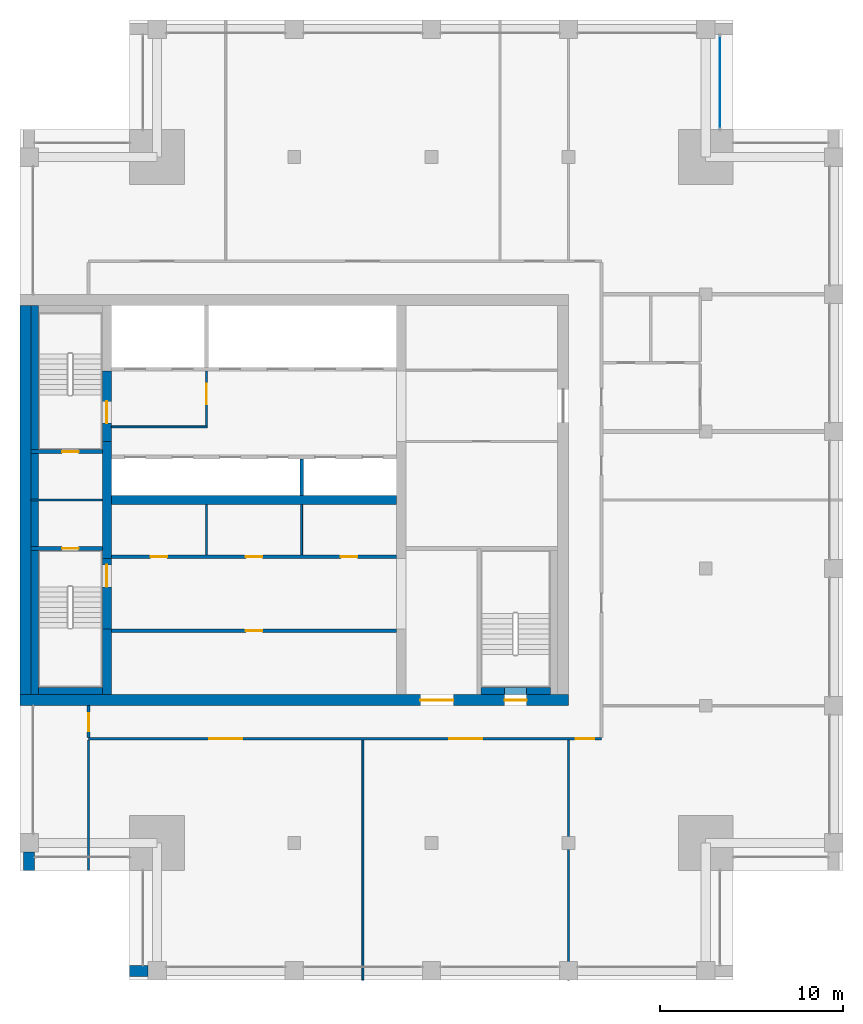
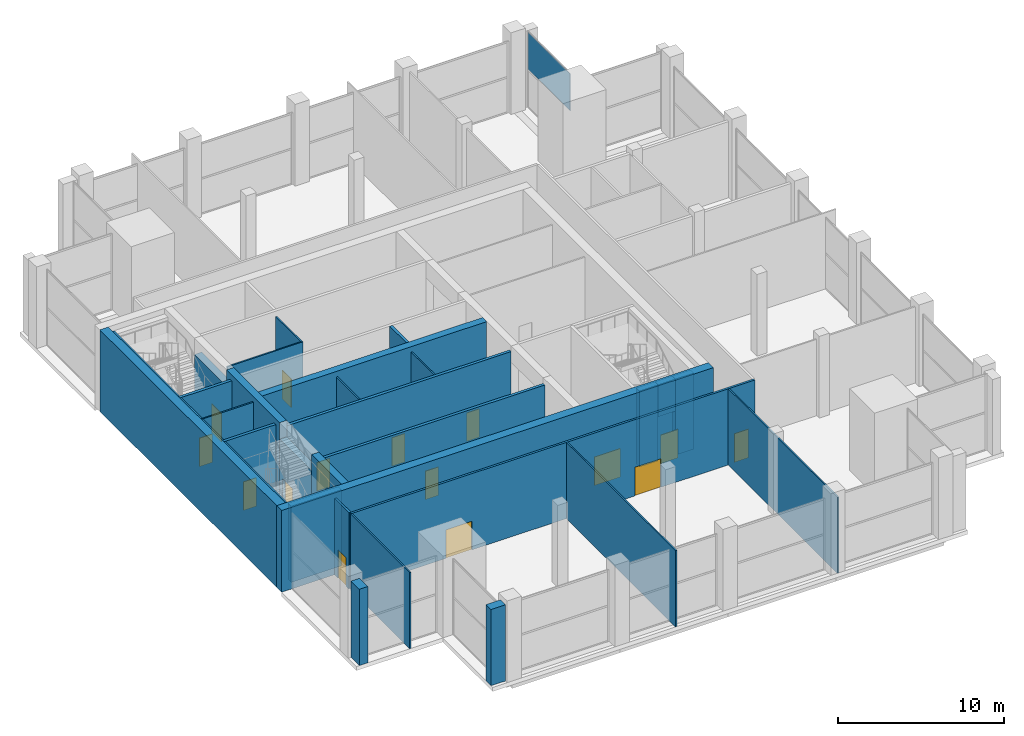
# One storey, part 8 of 15: 29 walls, 15 doors, 1 plate, 15 openings, 1 element without a shape of its own.
"""IFC4 building model written with IfcOpenShell, lengths in metres."""

from ifc_helpers import new_model, si_unit, direction, frame, frame_2d, origin, origin_2d, place, context, subcontext, project, spatial, rectangle, extrude, material, layer, layer_set, type_object, element, fill, aggregate, save


model = new_model("IFC4")

# Units and contexts
model_context = context("Model", 3, precision=1e-05, world=origin(), true_north=direction((0.0, 1.0)))
body_context = subcontext(model_context, "Body", "Model", "MODEL_VIEW")
ifc_project = project(units=[si_unit("LENGTHUNIT", "METRE"), si_unit("AREAUNIT", "SQUARE_METRE"), si_unit("VOLUMEUNIT", "CUBIC_METRE"), si_unit("PLANEANGLEUNIT", "RADIAN"), si_unit("MASSUNIT", "GRAM", prefix="KILO")], contexts=[model_context])

# Site, building, storey
site_placement = place(None, origin())
site = spatial("IfcSite", under=ifc_project, at=site_placement, CompositionType="ELEMENT")
building_placement = place(site_placement, origin())
building = spatial("IfcBuilding", under=site, at=building_placement, Name="Tamorin Gate", CompositionType="ELEMENT")
storey_placement = place(building_placement, frame((0.0, 0.0, 308.699951171875)))
storey = spatial("IfcBuildingStorey", under=building, at=storey_placement, Name="L76", CompositionType="ELEMENT", Elevation=308.699951171875)

# Curtain wall, plate
ifc_material_1 = material(Name="Aluminium mullions and transoms with clear glass", Category="aluminium")
ifc_layer_1 = layer(ifc_material_1, 0.159912109375)
ifc_layer_set_1 = layer_set([ifc_layer_1], Name="Curtain wall system CW4")
curtain_wall_type = type_object("IfcCurtainWallType", Name="Curtain wall system CW4", PredefinedType="NOTDEFINED", material=ifc_layer_set_1)
curtain_wall_placement = place(storey_placement, origin())
curtain_wall = element("IfcCurtainWall", 1, at=curtain_wall_placement, inside=storey, type_object=curtain_wall_type, Name="Curtain wall", PredefinedType="NOTDEFINED")
ifc_material_2 = material(Name="Clear glass", Category="glass")
ifc_layer_2 = layer(ifc_material_2, 0.028076171875)
ifc_layer_set_2 = layer_set([ifc_layer_2], Name="Clear glass panel IGU 28")
plate_type = type_object("IfcPlateType", Name="Clear glass panel IGU 28", PredefinedType="CURTAIN_PANEL", material=ifc_layer_set_2)
plate_placement = place(storey_placement, frame((68.280029296875, 94.10009765625, 2.830078125), z_axis=(0.0, 0.0, 1.0), x_axis=(0.0, 1.0, 0.0)))
plate = element("IfcPlate", 2, at=plate_placement, type_object=plate_type, Name="CW4 panel 1.2", PredefinedType="CURTAIN_PANEL", context=body_context, shape_type="SweptSolid", body=[
    extrude(rectangle(XDim=5.080078125, YDim=0.028076171875, at=origin_2d()), origin(), (0.0, 0.0, 1.0), 2.7099609375),
])
aggregate(curtain_wall, [plate])

# Walls
ifc_material_3 = material(Name="Precast concrete C40/50", Category="concrete")
ifc_layer_3 = layer(ifc_material_3, 0.60009765625)
ifc_layer_set_3 = layer_set([ifc_layer_3], Name="Precast concrete C40/50")
wall_type_1 = type_object("IfcWallType", Name="Board-marked concrete facade panel 600", PredefinedType="SOLIDWALL", material=ifc_layer_set_3)
for number, where, z_axis, x_axis, name in (
    (3, (36.0, 45.5, 0.0), (0.0, 0.0, 1.0), (1.0, 0.0, 0.0), "Facade panel"),
    (4, (30.5, 52.0, 0.0), (0.0, 0.0, 1.0), (0.0, -1.0, 0.0), "Facade panel"),
):
    element("IfcWall", number, at=place(storey_placement, frame(where, z_axis=z_axis, x_axis=x_axis)), inside=storey, type_object=wall_type_1, Name=name, PredefinedType="SOLIDWALL", context=body_context, shape_type="SweptSolid", body=[
        extrude(rectangle(XDim=1.0, YDim=0.60009765625, at=frame_2d((0.5, 0.0))), origin(), (0.0, 0.0, 1.0), 5.60009765625),
    ])

# Wall, openings, doors
ifc_material_4 = material(Name="Gypsum board partition")
ifc_layer_4 = layer(ifc_material_4, 0.14990234375)
ifc_layer_set_4 = layer_set([ifc_layer_4], Name="Corridor wall 150")
wall_type_2 = type_object("IfcWallType", Name="Corridor wall 150", PredefinedType="PARTITIONING", material=ifc_layer_set_4)
wall_1_placement = place(storey_placement, frame((33.75, 58.199951171875, 0.0), z_axis=(0.0, 0.0, 1.0), x_axis=(1.0, 0.0, 0.0)))
wall_1 = element("IfcWall", 5, at=wall_1_placement, inside=storey, type_object=wall_type_2, Name="Corridor wall 150", PredefinedType="PARTITIONING", context=body_context, shape_type="SweptSolid", body=[
    extrude(rectangle(XDim=28.050048828125, YDim=0.14990234375, at=frame_2d((14.02490234375, 0.0))), origin(), (0.0, 0.0, 1.0), 5.60009765625),
])
opening_1_placement = place(wall_1_placement, frame((6.60009765625, 0.0, 0.0)))
opening_1 = element("IfcOpeningElement", 6, at=opening_1_placement, cuts=wall_1, Name="Opening DOB2002", PredefinedType="OPENING", context=body_context, shape_type="SweptSolid", body=[
    extrude(rectangle(XDim=1.800048828125, YDim=2.10009765625, at=frame_2d((0.89990234375, 1.050048828125))), frame((0.0, 0.0849609375, 0.0), z_axis=(0.0, -1.0, 0.0), x_axis=(1.0, 0.0, 0.0)), (0.0, 0.0, 1.0), 0.169921875),
])
opening_2_placement = place(wall_1_placement, frame((19.72509765625, 0.0, 0.0)))
opening_2 = element("IfcOpeningElement", 7, at=opening_2_placement, cuts=wall_1, Name="Opening DOB2003", PredefinedType="OPENING", context=body_context, shape_type="SweptSolid", body=[
    extrude(rectangle(XDim=1.800048828125, YDim=2.10009765625, at=frame_2d((0.89990234375, 1.050048828125))), frame((0.0, 0.0849609375, 0.0), z_axis=(0.0, -1.0, 0.0), x_axis=(1.0, 0.0, 0.0)), (0.0, 0.0, 1.0), 0.169921875),
])
opening_3_placement = place(wall_1_placement, frame((26.64990234375, 0.0, 0.0)))
opening_3 = element("IfcOpeningElement", 8, at=opening_3_placement, cuts=wall_1, Name="Opening DOB2004", PredefinedType="OPENING", context=body_context, shape_type="SweptSolid", body=[
    extrude(rectangle(XDim=1.0, YDim=2.10009765625, at=frame_2d((0.5, 1.050048828125))), frame((0.0, 0.0849609375, 0.0), z_axis=(0.0, -1.0, 0.0), x_axis=(1.0, 0.0, 0.0)), (0.0, 0.0, 1.0), 0.169921875),
])
ifc_material_5 = material(Name="Timber door leaf", Category="wood")
door_type_1 = type_object("IfcDoorType", Name="Door 1000 x 2100 FD30S", OperationType="NOTDEFINED", PredefinedType="DOOR", material=ifc_material_5)
door_1_placement = place(opening_3_placement, origin())
door_1 = element("IfcDoor", 9, at=door_1_placement, inside=storey, type_object=door_type_1, Name="Door DOB2004", OperationType="SINGLE_SWING_RIGHT", OverallHeight=2.10009765625, OverallWidth=1.0, PredefinedType="DOOR", context=body_context, shape_type="SweptSolid", body=[
    extrude(rectangle(XDim=1.0, YDim=2.10009765625, at=frame_2d((0.5, 1.050048828125))), frame((0.0, 0.02490234375, 0.0), z_axis=(0.0, -1.0, 0.0), x_axis=(1.0, 0.0, 0.0)), (0.0, 0.0, 1.0), 0.050048828125),
])
fill(opening_3, door_1)
door_type_2 = type_object("IfcDoorType", Name="Door 1800 x 2100 FD30S", OperationType="DOUBLE_DOOR_SINGLE_SWING", PredefinedType="DOOR", material=ifc_material_5)
door_2_placement = place(opening_1_placement, origin())
door_2 = element("IfcDoor", 10, at=door_2_placement, inside=storey, type_object=door_type_2, Name="Door DOB2002", OperationType="DOUBLE_DOOR_SINGLE_SWING", OverallHeight=2.10009765625, OverallWidth=1.800048828125, PredefinedType="DOOR", context=body_context, shape_type="SweptSolid", body=[
    extrude(rectangle(XDim=1.800048828125, YDim=2.10009765625, at=frame_2d((0.89990234375, 1.050048828125))), frame((0.0, 0.02490234375, 0.0), z_axis=(0.0, -1.0, 0.0), x_axis=(1.0, 0.0, 0.0)), (0.0, 0.0, 1.0), 0.050048828125),
])
fill(opening_1, door_2)
door_3_placement = place(opening_2_placement, origin())
door_3 = element("IfcDoor", 11, at=door_3_placement, inside=storey, type_object=door_type_2, Name="Door DOB2003", OperationType="DOUBLE_DOOR_SINGLE_SWING", OverallHeight=2.10009765625, OverallWidth=1.800048828125, PredefinedType="DOOR", context=body_context, shape_type="SweptSolid", body=[
    extrude(rectangle(XDim=1.800048828125, YDim=2.10009765625, at=frame_2d((0.89990234375, 1.050048828125))), frame((0.0, 0.02490234375, 0.0), z_axis=(0.0, -1.0, 0.0), x_axis=(1.0, 0.0, 0.0)), (0.0, 0.0, 1.0), 0.050048828125),
])
fill(opening_2, door_3)

# Wall, opening, door
wall_2_placement = place(storey_placement, frame((33.75, 58.27490234375, 0.0), z_axis=(0.0, 0.0, 1.0), x_axis=(0.0, 1.0, 0.0)))
wall_2 = element("IfcWall", 12, at=wall_2_placement, inside=storey, type_object=wall_type_2, Name="Corridor wall 150", PredefinedType="PARTITIONING", context=body_context, shape_type="SweptSolid", body=[
    extrude(rectangle(XDim=1.72509765625, YDim=0.14990234375, at=frame_2d((0.862548828125, 0.0))), origin(), (0.0, 0.0, 1.0), 5.60009765625),
])
opening_4_placement = place(wall_2_placement, frame((0.324951171875, 0.0, 0.0)))
opening_4 = element("IfcOpeningElement", 13, at=opening_4_placement, cuts=wall_2, Name="Opening DOB2001", PredefinedType="OPENING", context=body_context, shape_type="SweptSolid", body=[
    extrude(rectangle(XDim=1.0, YDim=2.10009765625, at=frame_2d((0.5, 1.050048828125))), frame((0.0, 0.0849609375, 0.0), z_axis=(0.0, -1.0, 0.0), x_axis=(1.0, 0.0, 0.0)), (0.0, 0.0, 1.0), 0.169921875),
])
door_4_placement = place(opening_4_placement, origin())
door_4 = element("IfcDoor", 14, at=door_4_placement, inside=storey, type_object=door_type_1, Name="Door DOB2001", OperationType="SINGLE_SWING_RIGHT", OverallHeight=2.10009765625, OverallWidth=1.0, PredefinedType="DOOR", context=body_context, shape_type="SweptSolid", body=[
    extrude(rectangle(XDim=1.0, YDim=2.10009765625, at=frame_2d((0.5, 1.050048828125))), frame((0.0, 0.02490234375, 0.0), z_axis=(0.0, -1.0, 0.0), x_axis=(1.0, 0.0, 0.0)), (0.0, 0.0, 1.0), 0.050048828125),
])
fill(opening_4, door_4)

# Walls
ifc_material_6 = material(Name="Concrete C32/40", Category="concrete")
ifc_layer_5 = layer(ifc_material_6, 0.199951171875)
ifc_layer_set_5 = layer_set([ifc_layer_5], Name="Lift shaft wall 200 EI 120")
wall_type_3 = type_object("IfcWallType", Name="Lift shaft wall 200 EI 120", PredefinedType="SOLIDWALL", material=ifc_layer_set_5)
wall_3_placement = place(storey_placement, frame((45.39990234375, 71.5, 0.0), z_axis=(0.0, 0.0, 1.0), x_axis=(0.0, 1.0, 0.0)))
element("IfcWall", 15, at=wall_3_placement, inside=storey, type_object=wall_type_3, Name="Lift shaft wall", PredefinedType="SOLIDWALL", context=body_context, shape_type="SweptSolid", body=[
    extrude(rectangle(XDim=2.0, YDim=0.199951171875, at=frame_2d((1.0, 0.0))), origin(), (0.0, 0.0, 1.0), 6.0),
])
ifc_material_7 = material(Name="Fire-rated gypsum board partition")
ifc_layer_6 = layer(ifc_material_7, 0.10009765625)
ifc_layer_set_6 = layer_set([ifc_layer_6], Name="Lobby wall 100 EI 60")
wall_type_4 = type_object("IfcWallType", Name="Lobby wall 100 EI 60", PredefinedType="PARTITIONING", material=ifc_layer_set_6)
wall_4_placement = place(storey_placement, frame((35.0, 75.25, 0.0), z_axis=(0.0, 0.0, 1.0), x_axis=(1.0, 0.0, 0.0)))
element("IfcWall", 16, at=wall_4_placement, inside=storey, type_object=wall_type_4, Name="Firefighting lobby wall", PredefinedType="PARTITIONING", context=body_context, shape_type="SweptSolid", body=[
    extrude(rectangle(XDim=5.25, YDim=0.10009765625, at=frame_2d((2.625, 0.0))), origin(), (0.0, 0.0, 1.0), 5.590087890625),
])

# Wall, opening, door
wall_5_placement = place(storey_placement, frame((40.199951171875, 75.300048828125, 0.0), z_axis=(0.0, 0.0, 1.0), x_axis=(0.0, 1.0, 0.0)))
wall_5 = element("IfcWall", 17, at=wall_5_placement, inside=storey, type_object=wall_type_4, Name="Firefighting lobby wall", PredefinedType="PARTITIONING", context=body_context, shape_type="SweptSolid", body=[
    extrude(rectangle(XDim=3.0, YDim=0.10009765625, at=frame_2d((1.5, 0.0))), origin(), (0.0, 0.0, 1.0), 5.590087890625),
])
opening_5_placement = place(wall_5_placement, frame((1.199951171875, 0.0, 0.0)))
opening_5 = element("IfcOpeningElement", 18, at=opening_5_placement, cuts=wall_5, Name="Opening DF1", PredefinedType="OPENING", context=body_context, shape_type="SweptSolid", body=[
    extrude(rectangle(XDim=1.10009765625, YDim=2.10009765625, at=frame_2d((0.550048828125, 1.050048828125))), frame((0.0, 0.06005859375, 0.0), z_axis=(0.0, -1.0, 0.0), x_axis=(1.0, 0.0, 0.0)), (0.0, 0.0, 1.0), 0.1201171875),
])
ifc_material_8 = material(Name="Steel fire door", Category="steel")
door_type_3 = type_object("IfcDoorType", Name="Firefighting lobby door 1100 x 2100 EI 90", OperationType="SINGLE_SWING_LEFT", PredefinedType="DOOR", material=ifc_material_8)
door_5_placement = place(opening_5_placement, origin())
door_5 = element("IfcDoor", 19, at=door_5_placement, inside=storey, type_object=door_type_3, Name="Firefighting lobby door", OperationType="SINGLE_SWING_LEFT", OverallHeight=2.10009765625, OverallWidth=1.10009765625, PredefinedType="DOOR", context=body_context, shape_type="SweptSolid", body=[
    extrude(rectangle(XDim=1.10009765625, YDim=2.10009765625, at=frame_2d((0.550048828125, 1.050048828125))), frame((0.0, 0.02490234375, 0.0), z_axis=(0.0, -1.0, 0.0), x_axis=(1.0, 0.0, 0.0)), (0.0, 0.0, 1.0), 0.050048828125),
])
fill(opening_5, door_5)

# Walls
ifc_material_9 = material(Name="Concrete C50/60", Category="concrete")
ifc_layer_7 = layer(ifc_material_9, 0.5)
ifc_layer_set_7 = layer_set([ifc_layer_7], Name="RC core internal wall 500 C50/60")
wall_type_5 = type_object("IfcWallType", Name="RC core internal wall 500 C50/60", PredefinedType="SHEAR", material=ifc_layer_set_7)
wall_6_placement = place(storey_placement, frame((35.0, 71.25, 0.0), z_axis=(0.0, 0.0, 1.0), x_axis=(1.0, 0.0, 0.0)))
element("IfcWall", 20, at=wall_6_placement, inside=storey, type_object=wall_type_5, Name="Core spine wall L76", PredefinedType="SHEAR", context=body_context, shape_type="SweptSolid", body=[
    extrude(rectangle(XDim=15.60009765625, YDim=0.5, at=frame_2d((7.800048828125, 0.0))), origin(), (0.0, 0.0, 1.0), 6.0),
])
wall_7_placement = place(storey_placement, frame((34.75, 60.60009765625, 0.0), z_axis=(0.0, 0.0, 1.0), x_axis=(0.0, 1.0, 0.0)))
element("IfcWall", 21, at=wall_7_placement, inside=storey, type_object=wall_type_5, Name="Core cross wall L76", PredefinedType="SHEAR", context=body_context, shape_type="SweptSolid", body=[
    extrude(rectangle(XDim=3.599853515625, YDim=0.5, at=frame_2d((1.7998046875, 0.0))), origin(), (0.0, 0.0, 1.0), 6.0),
])
wall_8_placement = place(storey_placement, frame((34.75, 68.050048828125, 0.0), z_axis=(0.0, 0.0, 1.0), x_axis=(0.0, 1.0, 0.0)))
element("IfcWall", 22, at=wall_8_placement, inside=storey, type_object=wall_type_5, Name="Core cross wall L76", PredefinedType="SHEAR", context=body_context, shape_type="SweptSolid", body=[
    extrude(rectangle(XDim=6.39990234375, YDim=0.5, at=frame_2d((3.199951171875, 0.0))), origin(), (0.0, 0.0, 1.0), 6.0),
])

# Wall, openings, doors
ifc_layer_8 = layer(ifc_material_9, 0.60009765625)
ifc_layer_set_8 = layer_set([ifc_layer_8], Name="RC core wall 600 C50/60")
wall_type_6 = type_object("IfcWallType", Name="RC core wall 600 C50/60", PredefinedType="SHEAR", material=ifc_layer_set_8)
wall_9_placement = place(storey_placement, frame((30.0, 60.300048828125, 0.0), z_axis=(0.0, 0.0, 1.0), x_axis=(1.0, 0.0, 0.0)))
wall_9 = element("IfcWall", 23, at=wall_9_placement, inside=storey, type_object=wall_type_6, Name="Core wall L76", PredefinedType="SHEAR", context=body_context, shape_type="SweptSolid", body=[
    extrude(rectangle(XDim=30.0, YDim=0.60009765625, at=frame_2d((15.0, 0.0))), origin(), (0.0, 0.0, 1.0), 6.0),
])
opening_6_placement = place(wall_9_placement, frame((21.89990234375, 0.0, 0.0)))
opening_6 = element("IfcOpeningElement", 24, at=opening_6_placement, cuts=wall_9, Name="Opening DE1", PredefinedType="OPENING", context=body_context, shape_type="SweptSolid", body=[
    extrude(rectangle(XDim=1.800048828125, YDim=2.10009765625, at=frame_2d((0.89990234375, 1.050048828125))), frame((0.0, 0.31005859375, 0.0), z_axis=(0.0, -1.0, 0.0), x_axis=(1.0, 0.0, 0.0)), (0.0, 0.0, 1.0), 0.6201171875),
])
opening_7_placement = place(wall_9_placement, frame((26.5, 0.0, 0.0)))
opening_7 = element("IfcOpeningElement", 25, at=opening_7_placement, cuts=wall_9, Name="Opening DS1", PredefinedType="OPENING", context=body_context, shape_type="SweptSolid", body=[
    extrude(rectangle(XDim=1.199951171875, YDim=2.10009765625, at=frame_2d((0.60009765625, 1.050048828125))), frame((0.0, 0.31005859375, 0.0), z_axis=(0.0, -1.0, 0.0), x_axis=(1.0, 0.0, 0.0)), (0.0, 0.0, 1.0), 0.6201171875),
])
door_type_4 = type_object("IfcDoorType", Name="Lobby exit double door 1800 x 2100 EI 60", OperationType="DOUBLE_DOOR_SINGLE_SWING", PredefinedType="DOOR", material=ifc_material_8)
door_6_placement = place(opening_6_placement, origin())
door_6 = element("IfcDoor", 26, at=door_6_placement, inside=storey, type_object=door_type_4, Name="Lift lobby A exit door", OperationType="DOUBLE_DOOR_SINGLE_SWING", OverallHeight=2.10009765625, OverallWidth=1.800048828125, PredefinedType="DOOR", context=body_context, shape_type="SweptSolid", body=[
    extrude(rectangle(XDim=1.800048828125, YDim=2.10009765625, at=frame_2d((0.89990234375, 1.050048828125))), frame((0.0, 0.02490234375, 0.0), z_axis=(0.0, -1.0, 0.0), x_axis=(1.0, 0.0, 0.0)), (0.0, 0.0, 1.0), 0.050048828125),
])
fill(opening_6, door_6)
door_type_5 = type_object("IfcDoorType", Name="Stair door 1200 x 2100 EI 90", OperationType="SINGLE_SWING_LEFT", PredefinedType="DOOR", material=ifc_material_8)
door_7_placement = place(opening_7_placement, origin())
door_7 = element("IfcDoor", 27, at=door_7_placement, inside=storey, type_object=door_type_5, Name="ST3 door", OperationType="SINGLE_SWING_LEFT", OverallHeight=2.10009765625, OverallWidth=1.199951171875, PredefinedType="DOOR", context=body_context, shape_type="SweptSolid", body=[
    extrude(rectangle(XDim=1.199951171875, YDim=2.10009765625, at=frame_2d((0.60009765625, 1.050048828125))), frame((0.0, 0.02490234375, 0.0), z_axis=(0.0, -1.0, 0.0), x_axis=(1.0, 0.0, 0.0)), (0.0, 0.0, 1.0), 0.050048828125),
])
fill(opening_7, door_7)

# Walls
wall_10_placement = place(storey_placement, frame((30.300048828125, 60.60009765625, 0.0), z_axis=(0.0, 0.0, 1.0), x_axis=(0.0, 1.0, 0.0)))
element("IfcWall", 28, at=wall_10_placement, inside=storey, type_object=wall_type_6, Name="Core wall L76", PredefinedType="SHEAR", context=body_context, shape_type="SweptSolid", body=[
    extrude(rectangle(XDim=21.2998046875, YDim=0.60009765625, at=frame_2d((10.64990234375, 0.0))), origin(), (0.0, 0.0, 1.0), 6.0),
])
ifc_layer_9 = layer(ifc_material_7, 0.10009765625)
ifc_layer_set_9 = layer_set([ifc_layer_9], Name="Riser partition 100 EI 120")
wall_type_7 = type_object("IfcWallType", Name="Riser partition 100 EI 120", PredefinedType="PARTITIONING", material=ifc_layer_set_9)
wall_11_placement = place(storey_placement, frame((30.60009765625, 71.25, 0.0), z_axis=(0.0, 0.0, 1.0), x_axis=(1.0, 0.0, 0.0)))
element("IfcWall", 29, at=wall_11_placement, inside=storey, type_object=wall_type_7, Name="Riser partition", PredefinedType="PARTITIONING", context=body_context, shape_type="SweptSolid", body=[
    extrude(rectangle(XDim=3.89990234375, YDim=0.10009765625, at=frame_2d((1.949951171875, 0.0))), origin(), (0.0, 0.0, 1.0), 5.590087890625),
])
ifc_layer_10 = layer(ifc_material_4, 0.10009765625)
ifc_layer_set_10 = layer_set([ifc_layer_10], Name="Room partition 100")
wall_type_8 = type_object("IfcWallType", Name="Room partition 100", PredefinedType="PARTITIONING", material=ifc_layer_set_10)
wall_12_placement = place(storey_placement, frame((33.75, 51.0, 0.0), z_axis=(0.0, 0.0, 1.0), x_axis=(0.0, 1.0, 0.0)))
element("IfcWall", 30, at=wall_12_placement, inside=storey, type_object=wall_type_8, Name="Room partition 100", PredefinedType="PARTITIONING", context=body_context, shape_type="SweptSolid", body=[
    extrude(rectangle(XDim=7.125, YDim=0.10009765625, at=frame_2d((3.5625, 0.0))), origin(), (0.0, 0.0, 1.0), 5.60009765625),
])
for number, where, z_axis, x_axis, name in (
    (31, (48.75, 45.0, 0.0), (0.0, 0.0, 1.0), (0.0, 1.0, 0.0), "Room partition 100"),
    (32, (60.0, 45.0, 0.0), (0.0, 0.0, 1.0), (0.0, 1.0, 0.0), "Room partition 100"),
):
    element("IfcWall", number, at=place(storey_placement, frame(where, z_axis=z_axis, x_axis=x_axis)), inside=storey, type_object=wall_type_8, Name=name, PredefinedType="PARTITIONING", context=body_context, shape_type="SweptSolid", body=[
        extrude(rectangle(XDim=13.125, YDim=0.10009765625, at=frame_2d((6.5625, 0.0))), origin(), (0.0, 0.0, 1.0), 5.60009765625),
    ])

# Wall, opening, door
ifc_layer_11 = layer(ifc_material_4, 0.199951171875)
ifc_layer_set_11 = layer_set([ifc_layer_11], Name="Service room face wall 200 EI 60")
wall_type_9 = type_object("IfcWallType", Name="Service room face wall 200 EI 60", PredefinedType="PARTITIONING", material=ifc_layer_set_11)
wall_13_placement = place(storey_placement, frame((35.0, 64.10009765625, 0.0), z_axis=(0.0, 0.0, 1.0), x_axis=(1.0, 0.0, 0.0)))
wall_13 = element("IfcWall", 33, at=wall_13_placement, inside=storey, type_object=wall_type_9, Name="Service room face wall", PredefinedType="PARTITIONING", context=body_context, shape_type="SweptSolid", body=[
    extrude(rectangle(XDim=15.60009765625, YDim=0.199951171875, at=frame_2d((7.800048828125, 0.0))), origin(), (0.0, 0.0, 1.0), 5.590087890625),
])
opening_8_placement = place(wall_13_placement, frame((7.35009765625, 0.0, 0.0)))
opening_8 = element("IfcOpeningElement", 34, at=opening_8_placement, cuts=wall_13, Name="Opening DK1", PredefinedType="OPENING", context=body_context, shape_type="SweptSolid", body=[
    extrude(rectangle(XDim=0.89990234375, YDim=2.10009765625, at=frame_2d((0.449951171875, 1.050048828125))), frame((0.0, 0.10986328125, 0.0), z_axis=(0.0, -1.0, 0.0), x_axis=(1.0, 0.0, 0.0)), (0.0, 0.0, 1.0), 0.219970703125),
])
ifc_material_10 = material(Name="Timber fire door", Category="wood")
door_type_6 = type_object("IfcDoorType", Name="Service room door 900 x 2100 EI 60", OperationType="SINGLE_SWING_LEFT", PredefinedType="DOOR", material=ifc_material_10)
door_8_placement = place(opening_8_placement, origin())
door_8 = element("IfcDoor", 35, at=door_8_placement, inside=storey, type_object=door_type_6, Name="Door Club storage room", OperationType="SINGLE_SWING_RIGHT", OverallHeight=2.10009765625, OverallWidth=0.89990234375, PredefinedType="DOOR", context=body_context, shape_type="SweptSolid", body=[
    extrude(rectangle(XDim=0.89990234375, YDim=2.10009765625, at=frame_2d((0.449951171875, 1.050048828125))), frame((0.0, 0.02490234375, 0.0), z_axis=(0.0, -1.0, 0.0), x_axis=(1.0, 0.0, 0.0)), (0.0, 0.0, 1.0), 0.050048828125),
])
fill(opening_8, door_8)

# Wall, openings, doors
wall_14_placement = place(storey_placement, frame((35.0, 68.14990234375, 0.0), z_axis=(0.0, 0.0, 1.0), x_axis=(1.0, 0.0, 0.0)))
wall_14 = element("IfcWall", 36, at=wall_14_placement, inside=storey, type_object=wall_type_9, Name="Service room face wall", PredefinedType="PARTITIONING", context=body_context, shape_type="SweptSolid", body=[
    extrude(rectangle(XDim=15.60009765625, YDim=0.199951171875, at=frame_2d((7.800048828125, 0.0))), origin(), (0.0, 0.0, 1.0), 5.590087890625),
])
opening_9_placement = place(wall_14_placement, frame((2.14990234375, 0.0, 0.0)))
opening_9 = element("IfcOpeningElement", 37, at=opening_9_placement, cuts=wall_14, Name="Opening DK1", PredefinedType="OPENING", context=body_context, shape_type="SweptSolid", body=[
    extrude(rectangle(XDim=0.89990234375, YDim=2.10009765625, at=frame_2d((0.449951171875, 1.050048828125))), frame((0.0, 0.10986328125, 0.0), z_axis=(0.0, -1.0, 0.0), x_axis=(1.0, 0.0, 0.0)), (0.0, 0.0, 1.0), 0.219970703125),
])
opening_10_placement = place(wall_14_placement, frame((7.35009765625, 0.0, 0.0)))
opening_10 = element("IfcOpeningElement", 38, at=opening_10_placement, cuts=wall_14, Name="Opening DK1", PredefinedType="OPENING", context=body_context, shape_type="SweptSolid", body=[
    extrude(rectangle(XDim=0.89990234375, YDim=2.10009765625, at=frame_2d((0.449951171875, 1.050048828125))), frame((0.0, 0.10986328125, 0.0), z_axis=(0.0, -1.0, 0.0), x_axis=(1.0, 0.0, 0.0)), (0.0, 0.0, 1.0), 0.219970703125),
])
opening_11_placement = place(wall_14_placement, frame((12.550048828125, 0.0, 0.0)))
opening_11 = element("IfcOpeningElement", 39, at=opening_11_placement, cuts=wall_14, Name="Opening DK1", PredefinedType="OPENING", context=body_context, shape_type="SweptSolid", body=[
    extrude(rectangle(XDim=0.89990234375, YDim=2.10009765625, at=frame_2d((0.449951171875, 1.050048828125))), frame((0.0, 0.10986328125, 0.0), z_axis=(0.0, -1.0, 0.0), x_axis=(1.0, 0.0, 0.0)), (0.0, 0.0, 1.0), 0.219970703125),
])
door_9_placement = place(opening_9_placement, origin())
door_9 = element("IfcDoor", 40, at=door_9_placement, inside=storey, type_object=door_type_6, Name="Door Pantry", OperationType="SINGLE_SWING_RIGHT", OverallHeight=2.10009765625, OverallWidth=0.89990234375, PredefinedType="DOOR", context=body_context, shape_type="SweptSolid", body=[
    extrude(rectangle(XDim=0.89990234375, YDim=2.10009765625, at=frame_2d((0.449951171875, 1.050048828125))), frame((0.0, 0.02490234375, 0.0), z_axis=(0.0, -1.0, 0.0), x_axis=(1.0, 0.0, 0.0)), (0.0, 0.0, 1.0), 0.050048828125),
])
fill(opening_9, door_9)
door_10_placement = place(opening_10_placement, origin())
door_10 = element("IfcDoor", 41, at=door_10_placement, inside=storey, type_object=door_type_6, Name="Door Club store", OperationType="SINGLE_SWING_LEFT", OverallHeight=2.10009765625, OverallWidth=0.89990234375, PredefinedType="DOOR", context=body_context, shape_type="SweptSolid", body=[
    extrude(rectangle(XDim=0.89990234375, YDim=2.10009765625, at=frame_2d((0.449951171875, 1.050048828125))), frame((0.0, 0.02490234375, 0.0), z_axis=(0.0, -1.0, 0.0), x_axis=(1.0, 0.0, 0.0)), (0.0, 0.0, 1.0), 0.050048828125),
])
fill(opening_10, door_10)
door_11_placement = place(opening_11_placement, origin())
door_11 = element("IfcDoor", 42, at=door_11_placement, inside=storey, type_object=door_type_6, Name="Door IT room", OperationType="SINGLE_SWING_RIGHT", OverallHeight=2.10009765625, OverallWidth=0.89990234375, PredefinedType="DOOR", context=body_context, shape_type="SweptSolid", body=[
    extrude(rectangle(XDim=0.89990234375, YDim=2.10009765625, at=frame_2d((0.449951171875, 1.050048828125))), frame((0.0, 0.02490234375, 0.0), z_axis=(0.0, -1.0, 0.0), x_axis=(1.0, 0.0, 0.0)), (0.0, 0.0, 1.0), 0.050048828125),
])
fill(opening_11, door_11)

# Walls
ifc_layer_12 = layer(ifc_material_4, 0.10009765625)
ifc_layer_set_12 = layer_set([ifc_layer_12], Name="Service room partition 100 EI 60")
wall_type_10 = type_object("IfcWallType", Name="Service room partition 100 EI 60", PredefinedType="PARTITIONING", material=ifc_layer_set_12)
for number, where, z_axis, x_axis, name in (
    (43, (40.199951171875, 68.25, 0.0), (0.0, 0.0, 1.0), (0.0, 1.0, 0.0), "Service room partition"),
    (44, (45.39990234375, 68.25, 0.0), (0.0, 0.0, 1.0), (0.0, 1.0, 0.0), "Service room partition"),
):
    element("IfcWall", number, at=place(storey_placement, frame(where, z_axis=z_axis, x_axis=x_axis)), inside=storey, type_object=wall_type_10, Name=name, PredefinedType="PARTITIONING", context=body_context, shape_type="SweptSolid", body=[
        extrude(rectangle(XDim=2.75, YDim=0.10009765625, at=frame_2d((1.375, 0.0))), origin(), (0.0, 0.0, 1.0), 5.590087890625),
    ])

# Wall, opening, door
ifc_material_11 = material(Name="Concrete C40/50", Category="concrete")
ifc_layer_13 = layer(ifc_material_11, 0.199951171875)
ifc_layer_set_13 = layer_set([ifc_layer_13], Name="Stair enclosure wall 200 EI 120 C40/50")
wall_type_11 = type_object("IfcWallType", Name="Stair enclosure wall 200 EI 120 C40/50", PredefinedType="SOLIDWALL", material=ifc_layer_set_13)
wall_15_placement = place(storey_placement, frame((30.60009765625, 68.60009765625, 0.0), z_axis=(0.0, 0.0, 1.0), x_axis=(1.0, 0.0, 0.0)))
wall_15 = element("IfcWall", 45, at=wall_15_placement, inside=storey, type_object=wall_type_11, Name="Stair enclosure wall", PredefinedType="SOLIDWALL", context=body_context, shape_type="SweptSolid", body=[
    extrude(rectangle(XDim=3.89990234375, YDim=0.199951171875, at=frame_2d((1.949951171875, 0.0))), origin(), (0.0, 0.0, 1.0), 5.590087890625),
])
opening_12_placement = place(wall_15_placement, frame((1.699951171875, 0.0, 0.0)))
opening_12 = element("IfcOpeningElement", 46, at=opening_12_placement, cuts=wall_15, Name="Opening DR1", PredefinedType="OPENING", context=body_context, shape_type="SweptSolid", body=[
    extrude(rectangle(XDim=0.89990234375, YDim=2.10009765625, at=frame_2d((0.449951171875, 1.050048828125))), frame((0.0, 0.10986328125, 0.0), z_axis=(0.0, -1.0, 0.0), x_axis=(1.0, 0.0, 0.0)), (0.0, 0.0, 1.0), 0.219970703125),
])
door_type_7 = type_object("IfcDoorType", Name="Riser access door 900 x 2100 EI 120", OperationType="SINGLE_SWING_LEFT", PredefinedType="DOOR", material=ifc_material_8)
door_12_placement = place(opening_12_placement, origin())
door_12 = element("IfcDoor", 47, at=door_12_placement, inside=storey, type_object=door_type_7, Name="Electrical riser door", OperationType="SINGLE_SWING_LEFT", OverallHeight=2.10009765625, OverallWidth=0.89990234375, PredefinedType="DOOR", context=body_context, shape_type="SweptSolid", body=[
    extrude(rectangle(XDim=0.89990234375, YDim=2.10009765625, at=frame_2d((0.449951171875, 1.050048828125))), frame((0.0, 0.02490234375, 0.0), z_axis=(0.0, -1.0, 0.0), x_axis=(1.0, 0.0, 0.0)), (0.0, 0.0, 1.0), 0.050048828125),
])
fill(opening_12, door_12)

wall_16_placement = place(storey_placement, frame((30.60009765625, 73.89990234375, 0.0), z_axis=(0.0, 0.0, 1.0), x_axis=(1.0, 0.0, 0.0)))
wall_16 = element("IfcWall", 48, at=wall_16_placement, inside=storey, type_object=wall_type_11, Name="Stair enclosure wall", PredefinedType="SOLIDWALL", context=body_context, shape_type="SweptSolid", body=[
    extrude(rectangle(XDim=3.89990234375, YDim=0.199951171875, at=frame_2d((1.949951171875, 0.0))), origin(), (0.0, 0.0, 1.0), 5.590087890625),
])
opening_13_placement = place(wall_16_placement, frame((1.699951171875, 0.0, 0.0)))
opening_13 = element("IfcOpeningElement", 49, at=opening_13_placement, cuts=wall_16, Name="Opening DR1", PredefinedType="OPENING", context=body_context, shape_type="SweptSolid", body=[
    extrude(rectangle(XDim=0.89990234375, YDim=2.10009765625, at=frame_2d((0.449951171875, 1.050048828125))), frame((0.0, 0.10986328125, 0.0), z_axis=(0.0, -1.0, 0.0), x_axis=(1.0, 0.0, 0.0)), (0.0, 0.0, 1.0), 0.219970703125),
])
door_13_placement = place(opening_13_placement, origin())
door_13 = element("IfcDoor", 50, at=door_13_placement, inside=storey, type_object=door_type_7, Name="Communications riser door", OperationType="SINGLE_SWING_RIGHT", OverallHeight=2.10009765625, OverallWidth=0.89990234375, PredefinedType="DOOR", context=body_context, shape_type="SweptSolid", body=[
    extrude(rectangle(XDim=0.89990234375, YDim=2.10009765625, at=frame_2d((0.449951171875, 1.050048828125))), frame((0.0, 0.02490234375, 0.0), z_axis=(0.0, -1.0, 0.0), x_axis=(1.0, 0.0, 0.0)), (0.0, 0.0, 1.0), 0.050048828125),
])
fill(opening_13, door_13)

# Walls
ifc_layer_14 = layer(ifc_material_9, 0.39990234375)
ifc_layer_set_14 = layer_set([ifc_layer_14], Name="Stair lining wall 400 EI 120 C50/60")
wall_type_12 = type_object("IfcWallType", Name="Stair lining wall 400 EI 120 C50/60", PredefinedType="SOLIDWALL", material=ifc_layer_set_14)
wall_17_placement = place(storey_placement, frame((30.800048828125, 60.60009765625, 0.0), z_axis=(0.0, 0.0, 1.0), x_axis=(0.0, 1.0, 0.0)))
element("IfcWall", 51, at=wall_17_placement, inside=storey, type_object=wall_type_12, Name="Stair lining wall", PredefinedType="SOLIDWALL", context=body_context, shape_type="SweptSolid", body=[
    extrude(rectangle(XDim=21.2998046875, YDim=0.39990234375, at=frame_2d((10.64990234375, 0.0))), origin(), (0.0, 0.0, 1.0), 5.590087890625),
])
wall_18_placement = place(storey_placement, frame((31.0, 60.800048828125, 0.0), z_axis=(0.0, 0.0, 1.0), x_axis=(1.0, 0.0, 0.0)))
element("IfcWall", 52, at=wall_18_placement, inside=storey, type_object=wall_type_12, Name="Stair lining wall", PredefinedType="SOLIDWALL", context=body_context, shape_type="SweptSolid", body=[
    extrude(rectangle(XDim=3.5, YDim=0.39990234375, at=frame_2d((1.75, 0.0))), origin(), (0.0, 0.0, 1.0), 5.590087890625),
])
for number, where, z_axis, x_axis, name in (
    (53, (55.199951171875, 60.800048828125, 0.0), (0.0, 0.0, 1.0), (1.0, 0.0, 0.0), "Stair lining wall"),
    (54, (57.699951171875, 60.800048828125, 0.0), (0.0, 0.0, 1.0), (1.0, 0.0, 0.0), "Stair lining wall"),
):
    element("IfcWall", number, at=place(storey_placement, frame(where, z_axis=z_axis, x_axis=x_axis)), inside=storey, type_object=wall_type_12, Name=name, PredefinedType="SOLIDWALL", context=body_context, shape_type="SweptSolid", body=[
        extrude(rectangle(XDim=1.300048828125, YDim=0.39990234375, at=frame_2d((0.64990234375, 0.0))), origin(), (0.0, 0.0, 1.0), 5.590087890625),
    ])
wall_19_placement = place(storey_placement, frame((56.5, 60.800048828125, 3.239990234375), z_axis=(0.0, 0.0, 1.0), x_axis=(1.0, 0.0, 0.0)))
element("IfcWall", 55, at=wall_19_placement, inside=storey, type_object=wall_type_12, Name="Stair lining wall", PredefinedType="SOLIDWALL", context=body_context, shape_type="SweptSolid", body=[
    extrude(rectangle(XDim=1.199951171875, YDim=0.39990234375, at=frame_2d((0.60009765625, 0.0))), origin(), (0.0, 0.0, 1.0), 2.35009765625),
])

# Wall, opening, door
ifc_layer_15 = layer(ifc_material_6, 0.5)
ifc_layer_set_15 = layer_set([ifc_layer_15], Name="Stair lobby infill wall 500 EI 120")
wall_type_13 = type_object("IfcWallType", Name="Stair lobby infill wall 500 EI 120", PredefinedType="SOLIDWALL", material=ifc_layer_set_15)
wall_20_placement = place(storey_placement, frame((34.75, 64.199951171875, 0.0), z_axis=(0.0, 0.0, 1.0), x_axis=(0.0, 1.0, 0.0)))
wall_20 = element("IfcWall", 56, at=wall_20_placement, inside=storey, type_object=wall_type_13, Name="Stair lobby infill wall", PredefinedType="SOLIDWALL", context=body_context, shape_type="SweptSolid", body=[
    extrude(rectangle(XDim=3.85009765625, YDim=0.5, at=frame_2d((1.925048828125, 0.0))), origin(), (0.0, 0.0, 1.0), 4.800048828125),
])
opening_14_placement = place(wall_20_placement, frame((2.300048828125, 0.0, 0.0)))
opening_14 = element("IfcOpeningElement", 57, at=opening_14_placement, cuts=wall_20, Name="Opening DS1", PredefinedType="OPENING", context=body_context, shape_type="SweptSolid", body=[
    extrude(rectangle(XDim=1.199951171875, YDim=2.10009765625, at=frame_2d((0.60009765625, 1.050048828125))), frame((0.0, 0.260009765625, 0.0), z_axis=(0.0, -1.0, 0.0), x_axis=(1.0, 0.0, 0.0)), (0.0, 0.0, 1.0), 0.52001953125),
])
door_14_placement = place(opening_14_placement, origin())
door_14 = element("IfcDoor", 58, at=door_14_placement, inside=storey, type_object=door_type_5, Name="ST1 door", OperationType="SINGLE_SWING_LEFT", OverallHeight=2.10009765625, OverallWidth=1.199951171875, PredefinedType="DOOR", context=body_context, shape_type="SweptSolid", body=[
    extrude(rectangle(XDim=1.199951171875, YDim=2.10009765625, at=frame_2d((0.60009765625, 1.050048828125))), frame((0.0, 0.02490234375, 0.0), z_axis=(0.0, -1.0, 0.0), x_axis=(1.0, 0.0, 0.0)), (0.0, 0.0, 1.0), 0.050048828125),
])
fill(opening_14, door_14)

wall_21_placement = place(storey_placement, frame((34.75, 74.449951171875, 0.0), z_axis=(0.0, 0.0, 1.0), x_axis=(0.0, 1.0, 0.0)))
wall_21 = element("IfcWall", 59, at=wall_21_placement, inside=storey, type_object=wall_type_13, Name="Stair lobby infill wall", PredefinedType="SOLIDWALL", context=body_context, shape_type="SweptSolid", body=[
    extrude(rectangle(XDim=3.85009765625, YDim=0.5, at=frame_2d((1.925048828125, 0.0))), origin(), (0.0, 0.0, 1.0), 4.800048828125),
])
opening_15_placement = place(wall_21_placement, frame((1.0, 0.0, 0.0)))
opening_15 = element("IfcOpeningElement", 60, at=opening_15_placement, cuts=wall_21, Name="Opening DS1", PredefinedType="OPENING", context=body_context, shape_type="SweptSolid", body=[
    extrude(rectangle(XDim=1.199951171875, YDim=2.10009765625, at=frame_2d((0.60009765625, 1.050048828125))), frame((0.0, 0.260009765625, 0.0), z_axis=(0.0, -1.0, 0.0), x_axis=(1.0, 0.0, 0.0)), (0.0, 0.0, 1.0), 0.52001953125),
])
door_15_placement = place(opening_15_placement, origin())
door_15 = element("IfcDoor", 61, at=door_15_placement, inside=storey, type_object=door_type_5, Name="ST2 door", OperationType="SINGLE_SWING_RIGHT", OverallHeight=2.10009765625, OverallWidth=1.199951171875, PredefinedType="DOOR", context=body_context, shape_type="SweptSolid", body=[
    extrude(rectangle(XDim=1.199951171875, YDim=2.10009765625, at=frame_2d((0.60009765625, 1.050048828125))), frame((0.0, 0.02490234375, 0.0), z_axis=(0.0, -1.0, 0.0), x_axis=(1.0, 0.0, 0.0)), (0.0, 0.0, 1.0), 0.050048828125),
])
fill(opening_15, door_15)

save(model, "model.ifc")
